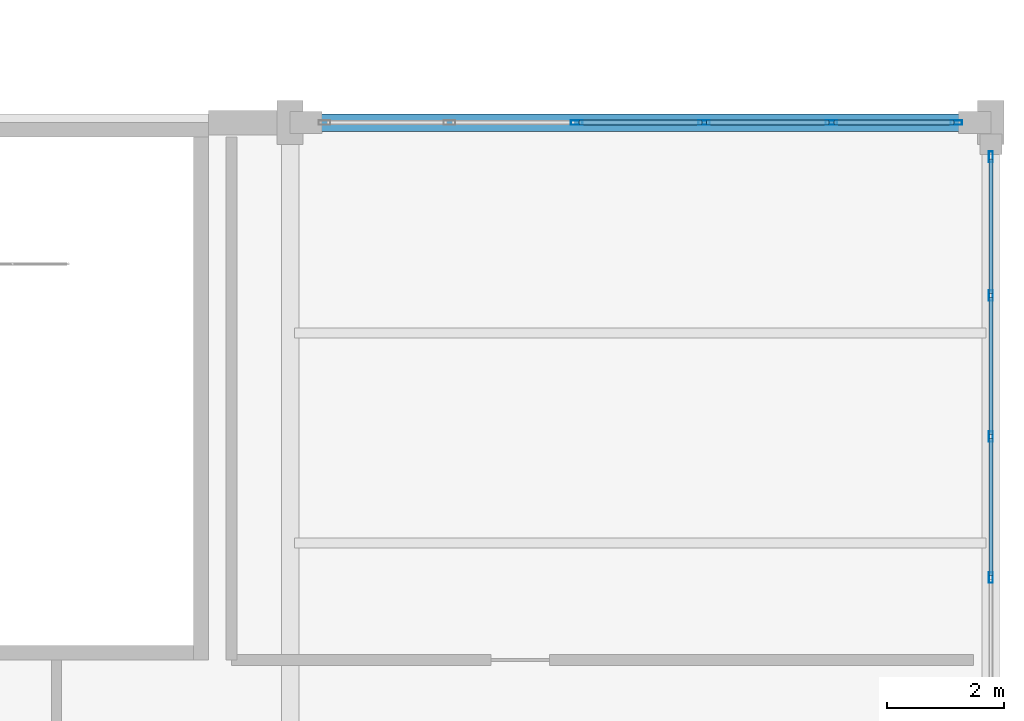
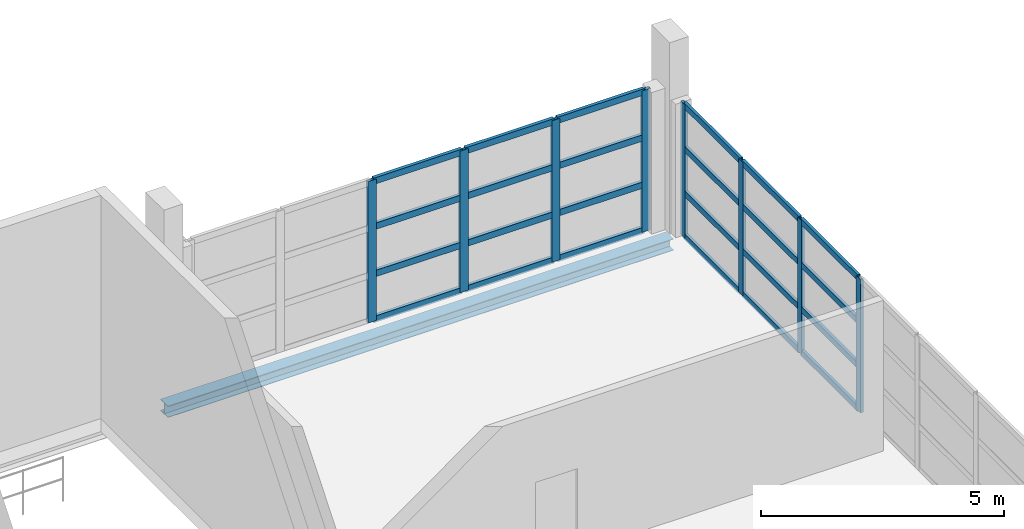
# One storey, part 69 of 86: 32 members, 1 beam, 2 elements without a shape of their own.
"""IFC4 building model written with IfcOpenShell, lengths in metres."""

from ifc_helpers import new_model, si_unit, direction, frame, origin, origin_2d, place, context, subcontext, project, spatial, hollow_rectangle, i_section, extrude, material, layer, layer_set, material_profile, profile_set, type_object, element, aggregate, save


model = new_model("IFC4")

# Units and contexts
model_context = context("Model", 3, precision=1e-05, world=origin(), true_north=direction((0.0, 1.0)))
body_context = subcontext(model_context, "Body", "Model", "MODEL_VIEW")
ifc_project = project(units=[si_unit("LENGTHUNIT", "METRE"), si_unit("AREAUNIT", "SQUARE_METRE"), si_unit("VOLUMEUNIT", "CUBIC_METRE"), si_unit("PLANEANGLEUNIT", "RADIAN"), si_unit("MASSUNIT", "GRAM", prefix="KILO")], contexts=[model_context])

# Site, building, storey
site_placement = place(None, origin())
site = spatial("IfcSite", under=ifc_project, at=site_placement, CompositionType="ELEMENT")
building_placement = place(site_placement, origin())
building = spatial("IfcBuilding", under=site, at=building_placement, Name="Zilviju Railside Exhibition Hall", CompositionType="ELEMENT")
storey_placement = place(building_placement, frame((0.0, 0.0, 12.60009765625)))
storey = spatial("IfcBuildingStorey", under=building, at=storey_placement, Name="L04", CompositionType="ELEMENT", Elevation=12.60009765625)

# Beam
ifc_material_1 = material(Name="Steel S355J2", Category="steel")
ifc_material_profile_1 = material_profile(ifc_material_1, i_section(OverallWidth=0.300048828125, OverallDepth=0.2900390625, WebThickness=0.008544921875, FlangeThickness=0.013916015625, at=origin_2d()), Name="HEA 300")
ifc_profile_set_1 = profile_set([ifc_material_profile_1], Name="Steel S355J2")
beam_type = type_object("IfcBeamType", Name="BM-HEA300", PredefinedType="SPANDREL", material=ifc_profile_set_1)
beam_placement = place(storey_placement, frame((204.0, 138.0, -0.47509765625), z_axis=(1.0, 0.0, 0.0), x_axis=(0.0, 1.0, 0.0)))
element("IfcBeam", 1, at=beam_placement, inside=storey, type_object=beam_type, Name="Primary Girder L04 Y=138.0 (204.0..216.0)", PredefinedType="SPANDREL", context=body_context, shape_type="SweptSolid", body=[
    extrude(i_section(OverallWidth=0.300048828125, OverallDepth=0.2900390625, WebThickness=0.008544921875, FlangeThickness=0.013916015625, at=origin_2d()), origin(), (0.0, 0.0, 1.0), 12.0),
])

# Curtain wall, members
ifc_material_2 = material(Name="Thermally broken aluminium-steel triple-glazed curtain wall", Category="steel")
ifc_layer_1 = layer(ifc_material_2, 0.179931640625)
ifc_layer_set_1 = layer_set([ifc_layer_1], Name="Thermally broken aluminium-steel triple-glazed curtain wall")
curtain_wall_type_1 = type_object("IfcCurtainWallType", Name="CW-BAY-15", PredefinedType="USERDEFINED", material=ifc_layer_set_1)
curtain_wall_1_placement = place(storey_placement, origin())
curtain_wall_1 = element("IfcCurtainWall", 2, at=curtain_wall_1_placement, inside=storey, type_object=curtain_wall_type_1, Name="North Hall East Glazed Gable L04 (120..138)", ObjectType="GLAZED CURTAIN WALL", PredefinedType="USERDEFINED")
ifc_material_3 = material(Name="Thermally broken anodized aluminium mullion", Category="aluminium")
ifc_material_profile_2 = material_profile(ifc_material_3, hollow_rectangle(XDim=0.070068359375, YDim=0.179931640625, WallThickness=0.0048828125, at=origin_2d()), Name="MULLION 180x70x5")
ifc_profile_set_2 = profile_set([ifc_material_profile_2], Name="Thermally broken anodized aluminium mullion")
member_type_1 = type_object("IfcMemberType", Name="CWM-70x180", PredefinedType="MULLION", material=ifc_profile_set_2)
member_1_placement = place(storey_placement, frame((216.0, 137.4150390625, 0.0), z_axis=(0.0, 0.0, 1.0), x_axis=(1.0, 0.0, 0.0)))
member_1 = element("IfcMember", 3, at=member_1_placement, type_object=member_type_1, Name="CW-15 mullion 1", PredefinedType="MULLION", context=body_context, shape_type="SweptSolid", body=[
    extrude(hollow_rectangle(XDim=0.070068359375, YDim=0.179931640625, WallThickness=0.0048828125, at=origin_2d()), origin(), (0.0, 0.0, 1.0), 3.349853515625),
])
member_2_placement = place(storey_placement, frame((216.0, 135.03564453125, 0.0), z_axis=(0.0, 0.0, 1.0), x_axis=(1.0, 0.0, 0.0)))
member_2 = element("IfcMember", 4, at=member_2_placement, type_object=member_type_1, Name="CW-15 mullion 2", PredefinedType="MULLION", context=body_context, shape_type="SweptSolid", body=[
    extrude(hollow_rectangle(XDim=0.070068359375, YDim=0.179931640625, WallThickness=0.0048828125, at=origin_2d()), origin(), (0.0, 0.0, 1.0), 3.349853515625),
])
member_3_placement = place(storey_placement, frame((216.0, 132.621337890625, 0.0), z_axis=(0.0, 0.0, 1.0), x_axis=(1.0, 0.0, 0.0)))
member_3 = element("IfcMember", 5, at=member_3_placement, type_object=member_type_1, Name="CW-15 mullion 3", PredefinedType="MULLION", context=body_context, shape_type="SweptSolid", body=[
    extrude(hollow_rectangle(XDim=0.070068359375, YDim=0.179931640625, WallThickness=0.0048828125, at=origin_2d()), origin(), (0.0, 0.0, 1.0), 3.349853515625),
])
member_4_placement = place(storey_placement, frame((216.0, 130.20703125, 0.0), z_axis=(0.0, 0.0, 1.0), x_axis=(1.0, 0.0, 0.0)))
member_4 = element("IfcMember", 6, at=member_4_placement, type_object=member_type_1, Name="CW-15 mullion 4", PredefinedType="MULLION", context=body_context, shape_type="SweptSolid", body=[
    extrude(hollow_rectangle(XDim=0.070068359375, YDim=0.179931640625, WallThickness=0.0048828125, at=origin_2d()), origin(), (0.0, 0.0, 1.0), 3.349853515625),
])

ifc_layer_2 = layer(ifc_material_2, 0.179931640625)
ifc_layer_set_2 = layer_set([ifc_layer_2], Name="Thermally broken aluminium-steel triple-glazed curtain wall")
curtain_wall_type_2 = type_object("IfcCurtainWallType", Name="CW-BAY-12", PredefinedType="USERDEFINED", material=ifc_layer_set_2)
curtain_wall_2_placement = place(storey_placement, origin())
curtain_wall_2 = element("IfcCurtainWall", 7, at=curtain_wall_2_placement, inside=storey, type_object=curtain_wall_type_2, Name="North Hall Clerestory Curtain Wall L04 (204..216)", ObjectType="GLAZED CURTAIN WALL", PredefinedType="USERDEFINED")
ifc_material_profile_3 = material_profile(ifc_material_3, hollow_rectangle(XDim=0.080078125, YDim=0.199951171875, WallThickness=0.0048828125, at=origin_2d()), Name="MULLION 200x80x5")
ifc_profile_set_3 = profile_set([ifc_material_profile_3], Name="Thermally broken anodized aluminium mullion")
member_type_2 = type_object("IfcMemberType", Name="CWM-80x200", PredefinedType="MULLION", material=ifc_profile_set_3)
member_5_placement = place(storey_placement, frame((208.909912109375, 138.0, 0.0), z_axis=(0.0, 0.0, 1.0), x_axis=(0.0, 1.0, 0.0)))
member_5 = element("IfcMember", 8, at=member_5_placement, type_object=member_type_2, Name="CW-12 mullion 3", PredefinedType="MULLION", context=body_context, shape_type="SweptSolid", body=[
    extrude(hollow_rectangle(XDim=0.080078125, YDim=0.199951171875, WallThickness=0.0048828125, at=origin_2d()), origin(), (0.0, 0.0, 1.0), 3.5498046875),
])
member_6_placement = place(storey_placement, frame((211.090087890625, 138.0, 0.0), z_axis=(0.0, 0.0, 1.0), x_axis=(0.0, 1.0, 0.0)))
member_6 = element("IfcMember", 9, at=member_6_placement, type_object=member_type_2, Name="CW-12 mullion 4", PredefinedType="MULLION", context=body_context, shape_type="SweptSolid", body=[
    extrude(hollow_rectangle(XDim=0.080078125, YDim=0.199951171875, WallThickness=0.0048828125, at=origin_2d()), origin(), (0.0, 0.0, 1.0), 3.5498046875),
])
member_7_placement = place(storey_placement, frame((213.27001953125, 138.0, 0.0), z_axis=(0.0, 0.0, 1.0), x_axis=(0.0, 1.0, 0.0)))
member_7 = element("IfcMember", 10, at=member_7_placement, type_object=member_type_2, Name="CW-12 mullion 5", PredefinedType="MULLION", context=body_context, shape_type="SweptSolid", body=[
    extrude(hollow_rectangle(XDim=0.080078125, YDim=0.199951171875, WallThickness=0.0048828125, at=origin_2d()), origin(), (0.0, 0.0, 1.0), 3.5498046875),
])
member_8_placement = place(storey_placement, frame((215.409912109375, 138.0, 0.0), z_axis=(0.0, 0.0, 1.0), x_axis=(0.0, 1.0, 0.0)))
member_8 = element("IfcMember", 11, at=member_8_placement, type_object=member_type_2, Name="CW-12 mullion 6", PredefinedType="MULLION", context=body_context, shape_type="SweptSolid", body=[
    extrude(hollow_rectangle(XDim=0.080078125, YDim=0.199951171875, WallThickness=0.0048828125, at=origin_2d()), origin(), (0.0, 0.0, 1.0), 3.5498046875),
])

# Member
ifc_material_4 = material(Name="Thermally broken anodized aluminium transom", Category="aluminium")
ifc_material_profile_4 = material_profile(ifc_material_4, hollow_rectangle(XDim=0.070068359375, YDim=0.14990234375, WallThickness=0.0048828125, at=origin_2d()), Name="TRANSOM 150x70x5")
ifc_profile_set_4 = profile_set([ifc_material_profile_4], Name="Thermally broken anodized aluminium transom")
member_type_3 = type_object("IfcMemberType", Name="CWT-70x150", PredefinedType="USERDEFINED", material=ifc_profile_set_4)
member_9_placement = place(storey_placement, frame((216.0, 137.3798828125, 0.034912109375), z_axis=(0.0, -1.0, 0.0), x_axis=(1.0, 0.0, 0.0)))
member_9 = element("IfcMember", 12, at=member_9_placement, type_object=member_type_3, Name="CW-15 transom 1.1", ObjectType="TRANSOM", PredefinedType="USERDEFINED", context=body_context, shape_type="SweptSolid", body=[
    extrude(hollow_rectangle(XDim=0.070068359375, YDim=0.14990234375, WallThickness=0.0048828125, at=origin_2d()), origin(), (0.0, 0.0, 1.0), 2.30908203125),
])

member_10_placement = place(storey_placement, frame((216.0, 137.3798828125, 1.116943359375), z_axis=(0.0, -1.0, 0.0), x_axis=(1.0, 0.0, 0.0)))
member_10 = element("IfcMember", 13, at=member_10_placement, type_object=member_type_3, Name="CW-15 transom 1.2", ObjectType="TRANSOM", PredefinedType="USERDEFINED", context=body_context, shape_type="SweptSolid", body=[
    extrude(hollow_rectangle(XDim=0.070068359375, YDim=0.14990234375, WallThickness=0.0048828125, at=origin_2d()), origin(), (0.0, 0.0, 1.0), 2.30908203125),
])

member_11_placement = place(storey_placement, frame((216.0, 137.3798828125, 2.23291015625), z_axis=(0.0, -1.0, 0.0), x_axis=(1.0, 0.0, 0.0)))
member_11 = element("IfcMember", 14, at=member_11_placement, type_object=member_type_3, Name="CW-15 transom 1.3", ObjectType="TRANSOM", PredefinedType="USERDEFINED", context=body_context, shape_type="SweptSolid", body=[
    extrude(hollow_rectangle(XDim=0.070068359375, YDim=0.14990234375, WallThickness=0.0048828125, at=origin_2d()), origin(), (0.0, 0.0, 1.0), 2.30908203125),
])

member_12_placement = place(storey_placement, frame((216.0, 137.3798828125, 3.31494140625), z_axis=(0.0, -1.0, 0.0), x_axis=(1.0, 0.0, 0.0)))
member_12 = element("IfcMember", 15, at=member_12_placement, type_object=member_type_3, Name="CW-15 transom 1.4", ObjectType="TRANSOM", PredefinedType="USERDEFINED", context=body_context, shape_type="SweptSolid", body=[
    extrude(hollow_rectangle(XDim=0.070068359375, YDim=0.14990234375, WallThickness=0.0048828125, at=origin_2d()), origin(), (0.0, 0.0, 1.0), 2.30908203125),
])

member_13_placement = place(storey_placement, frame((216.0, 135.000732421875, 0.034912109375), z_axis=(0.0, -1.0, 0.0), x_axis=(1.0, 0.0, 0.0)))
member_13 = element("IfcMember", 16, at=member_13_placement, type_object=member_type_3, Name="CW-15 transom 2.1", ObjectType="TRANSOM", PredefinedType="USERDEFINED", context=body_context, shape_type="SweptSolid", body=[
    extrude(hollow_rectangle(XDim=0.070068359375, YDim=0.14990234375, WallThickness=0.0048828125, at=origin_2d()), origin(), (0.0, 0.0, 1.0), 2.34423828125),
])

member_14_placement = place(storey_placement, frame((216.0, 135.000732421875, 1.116943359375), z_axis=(0.0, -1.0, 0.0), x_axis=(1.0, 0.0, 0.0)))
member_14 = element("IfcMember", 17, at=member_14_placement, type_object=member_type_3, Name="CW-15 transom 2.2", ObjectType="TRANSOM", PredefinedType="USERDEFINED", context=body_context, shape_type="SweptSolid", body=[
    extrude(hollow_rectangle(XDim=0.070068359375, YDim=0.14990234375, WallThickness=0.0048828125, at=origin_2d()), origin(), (0.0, 0.0, 1.0), 2.34423828125),
])

member_15_placement = place(storey_placement, frame((216.0, 135.000732421875, 2.23291015625), z_axis=(0.0, -1.0, 0.0), x_axis=(1.0, 0.0, 0.0)))
member_15 = element("IfcMember", 18, at=member_15_placement, type_object=member_type_3, Name="CW-15 transom 2.3", ObjectType="TRANSOM", PredefinedType="USERDEFINED", context=body_context, shape_type="SweptSolid", body=[
    extrude(hollow_rectangle(XDim=0.070068359375, YDim=0.14990234375, WallThickness=0.0048828125, at=origin_2d()), origin(), (0.0, 0.0, 1.0), 2.34423828125),
])

member_16_placement = place(storey_placement, frame((216.0, 135.000732421875, 3.31494140625), z_axis=(0.0, -1.0, 0.0), x_axis=(1.0, 0.0, 0.0)))
member_16 = element("IfcMember", 19, at=member_16_placement, type_object=member_type_3, Name="CW-15 transom 2.4", ObjectType="TRANSOM", PredefinedType="USERDEFINED", context=body_context, shape_type="SweptSolid", body=[
    extrude(hollow_rectangle(XDim=0.070068359375, YDim=0.14990234375, WallThickness=0.0048828125, at=origin_2d()), origin(), (0.0, 0.0, 1.0), 2.34423828125),
])

member_17_placement = place(storey_placement, frame((216.0, 132.58642578125, 0.034912109375), z_axis=(0.0, -1.0, 0.0), x_axis=(1.0, 0.0, 0.0)))
member_17 = element("IfcMember", 20, at=member_17_placement, type_object=member_type_3, Name="CW-15 transom 3.1", ObjectType="TRANSOM", PredefinedType="USERDEFINED", context=body_context, shape_type="SweptSolid", body=[
    extrude(hollow_rectangle(XDim=0.070068359375, YDim=0.14990234375, WallThickness=0.0048828125, at=origin_2d()), origin(), (0.0, 0.0, 1.0), 2.34423828125),
])

member_18_placement = place(storey_placement, frame((216.0, 132.58642578125, 1.116943359375), z_axis=(0.0, -1.0, 0.0), x_axis=(1.0, 0.0, 0.0)))
member_18 = element("IfcMember", 21, at=member_18_placement, type_object=member_type_3, Name="CW-15 transom 3.2", ObjectType="TRANSOM", PredefinedType="USERDEFINED", context=body_context, shape_type="SweptSolid", body=[
    extrude(hollow_rectangle(XDim=0.070068359375, YDim=0.14990234375, WallThickness=0.0048828125, at=origin_2d()), origin(), (0.0, 0.0, 1.0), 2.34423828125),
])

member_19_placement = place(storey_placement, frame((216.0, 132.58642578125, 2.23291015625), z_axis=(0.0, -1.0, 0.0), x_axis=(1.0, 0.0, 0.0)))
member_19 = element("IfcMember", 22, at=member_19_placement, type_object=member_type_3, Name="CW-15 transom 3.3", ObjectType="TRANSOM", PredefinedType="USERDEFINED", context=body_context, shape_type="SweptSolid", body=[
    extrude(hollow_rectangle(XDim=0.070068359375, YDim=0.14990234375, WallThickness=0.0048828125, at=origin_2d()), origin(), (0.0, 0.0, 1.0), 2.34423828125),
])

member_20_placement = place(storey_placement, frame((216.0, 132.58642578125, 3.31494140625), z_axis=(0.0, -1.0, 0.0), x_axis=(1.0, 0.0, 0.0)))
member_20 = element("IfcMember", 23, at=member_20_placement, type_object=member_type_3, Name="CW-15 transom 3.4", ObjectType="TRANSOM", PredefinedType="USERDEFINED", context=body_context, shape_type="SweptSolid", body=[
    extrude(hollow_rectangle(XDim=0.070068359375, YDim=0.14990234375, WallThickness=0.0048828125, at=origin_2d()), origin(), (0.0, 0.0, 1.0), 2.34423828125),
])

aggregate(curtain_wall_1, [member_1, member_2, member_3, member_4, member_9, member_10, member_11, member_12, member_13, member_14, member_15, member_16, member_17, member_18, member_19, member_20])

ifc_material_profile_5 = material_profile(ifc_material_4, hollow_rectangle(XDim=0.080078125, YDim=0.159912109375, WallThickness=0.0048828125, at=origin_2d()), Name="TRANSOM 160x80x5")
ifc_profile_set_5 = profile_set([ifc_material_profile_5], Name="Thermally broken anodized aluminium transom")
member_type_4 = type_object("IfcMemberType", Name="CWT-80x160", PredefinedType="USERDEFINED", material=ifc_profile_set_5)
member_21_placement = place(storey_placement, frame((208.949951171875, 138.0, 0.039794921875), z_axis=(1.0, 0.0, 0.0), x_axis=(0.0, 1.0, 0.0)))
member_21 = element("IfcMember", 24, at=member_21_placement, type_object=member_type_4, Name="CW-12 transom 3.1", ObjectType="TRANSOM", PredefinedType="USERDEFINED", context=body_context, shape_type="SweptSolid", body=[
    extrude(hollow_rectangle(XDim=0.080078125, YDim=0.159912109375, WallThickness=0.0048828125, at=origin_2d()), origin(), (0.0, 0.0, 1.0), 2.10009765625),
])

member_22_placement = place(storey_placement, frame((208.949951171875, 138.0, 1.182861328125), z_axis=(1.0, 0.0, 0.0), x_axis=(0.0, 1.0, 0.0)))
member_22 = element("IfcMember", 25, at=member_22_placement, type_object=member_type_4, Name="CW-12 transom 3.2", ObjectType="TRANSOM", PredefinedType="USERDEFINED", context=body_context, shape_type="SweptSolid", body=[
    extrude(hollow_rectangle(XDim=0.080078125, YDim=0.159912109375, WallThickness=0.0048828125, at=origin_2d()), origin(), (0.0, 0.0, 1.0), 2.10009765625),
])

member_23_placement = place(storey_placement, frame((208.949951171875, 138.0, 2.366943359375), z_axis=(1.0, 0.0, 0.0), x_axis=(0.0, 1.0, 0.0)))
member_23 = element("IfcMember", 26, at=member_23_placement, type_object=member_type_4, Name="CW-12 transom 3.3", ObjectType="TRANSOM", PredefinedType="USERDEFINED", context=body_context, shape_type="SweptSolid", body=[
    extrude(hollow_rectangle(XDim=0.080078125, YDim=0.159912109375, WallThickness=0.0048828125, at=origin_2d()), origin(), (0.0, 0.0, 1.0), 2.10009765625),
])

member_24_placement = place(storey_placement, frame((208.949951171875, 138.0, 3.510009765625), z_axis=(1.0, 0.0, 0.0), x_axis=(0.0, 1.0, 0.0)))
member_24 = element("IfcMember", 27, at=member_24_placement, type_object=member_type_4, Name="CW-12 transom 3.4", ObjectType="TRANSOM", PredefinedType="USERDEFINED", context=body_context, shape_type="SweptSolid", body=[
    extrude(hollow_rectangle(XDim=0.080078125, YDim=0.159912109375, WallThickness=0.0048828125, at=origin_2d()), origin(), (0.0, 0.0, 1.0), 2.10009765625),
])

member_25_placement = place(storey_placement, frame((211.1298828125, 138.0, 0.039794921875), z_axis=(1.0, 0.0, 0.0), x_axis=(0.0, 1.0, 0.0)))
member_25 = element("IfcMember", 28, at=member_25_placement, type_object=member_type_4, Name="CW-12 transom 4.1", ObjectType="TRANSOM", PredefinedType="USERDEFINED", context=body_context, shape_type="SweptSolid", body=[
    extrude(hollow_rectangle(XDim=0.080078125, YDim=0.159912109375, WallThickness=0.0048828125, at=origin_2d()), origin(), (0.0, 0.0, 1.0), 2.10009765625),
])

member_26_placement = place(storey_placement, frame((211.1298828125, 138.0, 1.182861328125), z_axis=(1.0, 0.0, 0.0), x_axis=(0.0, 1.0, 0.0)))
member_26 = element("IfcMember", 29, at=member_26_placement, type_object=member_type_4, Name="CW-12 transom 4.2", ObjectType="TRANSOM", PredefinedType="USERDEFINED", context=body_context, shape_type="SweptSolid", body=[
    extrude(hollow_rectangle(XDim=0.080078125, YDim=0.159912109375, WallThickness=0.0048828125, at=origin_2d()), origin(), (0.0, 0.0, 1.0), 2.10009765625),
])

member_27_placement = place(storey_placement, frame((211.1298828125, 138.0, 2.366943359375), z_axis=(1.0, 0.0, 0.0), x_axis=(0.0, 1.0, 0.0)))
member_27 = element("IfcMember", 30, at=member_27_placement, type_object=member_type_4, Name="CW-12 transom 4.3", ObjectType="TRANSOM", PredefinedType="USERDEFINED", context=body_context, shape_type="SweptSolid", body=[
    extrude(hollow_rectangle(XDim=0.080078125, YDim=0.159912109375, WallThickness=0.0048828125, at=origin_2d()), origin(), (0.0, 0.0, 1.0), 2.10009765625),
])

member_28_placement = place(storey_placement, frame((211.1298828125, 138.0, 3.510009765625), z_axis=(1.0, 0.0, 0.0), x_axis=(0.0, 1.0, 0.0)))
member_28 = element("IfcMember", 31, at=member_28_placement, type_object=member_type_4, Name="CW-12 transom 4.4", ObjectType="TRANSOM", PredefinedType="USERDEFINED", context=body_context, shape_type="SweptSolid", body=[
    extrude(hollow_rectangle(XDim=0.080078125, YDim=0.159912109375, WallThickness=0.0048828125, at=origin_2d()), origin(), (0.0, 0.0, 1.0), 2.10009765625),
])

member_29_placement = place(storey_placement, frame((213.31005859375, 138.0, 0.039794921875), z_axis=(1.0, 0.0, 0.0), x_axis=(0.0, 1.0, 0.0)))
member_29 = element("IfcMember", 32, at=member_29_placement, type_object=member_type_4, Name="CW-12 transom 5.1", ObjectType="TRANSOM", PredefinedType="USERDEFINED", context=body_context, shape_type="SweptSolid", body=[
    extrude(hollow_rectangle(XDim=0.080078125, YDim=0.159912109375, WallThickness=0.0048828125, at=origin_2d()), origin(), (0.0, 0.0, 1.0), 2.06005859375),
])

member_30_placement = place(storey_placement, frame((213.31005859375, 138.0, 1.182861328125), z_axis=(1.0, 0.0, 0.0), x_axis=(0.0, 1.0, 0.0)))
member_30 = element("IfcMember", 33, at=member_30_placement, type_object=member_type_4, Name="CW-12 transom 5.2", ObjectType="TRANSOM", PredefinedType="USERDEFINED", context=body_context, shape_type="SweptSolid", body=[
    extrude(hollow_rectangle(XDim=0.080078125, YDim=0.159912109375, WallThickness=0.0048828125, at=origin_2d()), origin(), (0.0, 0.0, 1.0), 2.06005859375),
])

member_31_placement = place(storey_placement, frame((213.31005859375, 138.0, 2.366943359375), z_axis=(1.0, 0.0, 0.0), x_axis=(0.0, 1.0, 0.0)))
member_31 = element("IfcMember", 34, at=member_31_placement, type_object=member_type_4, Name="CW-12 transom 5.3", ObjectType="TRANSOM", PredefinedType="USERDEFINED", context=body_context, shape_type="SweptSolid", body=[
    extrude(hollow_rectangle(XDim=0.080078125, YDim=0.159912109375, WallThickness=0.0048828125, at=origin_2d()), origin(), (0.0, 0.0, 1.0), 2.06005859375),
])

member_32_placement = place(storey_placement, frame((213.31005859375, 138.0, 3.510009765625), z_axis=(1.0, 0.0, 0.0), x_axis=(0.0, 1.0, 0.0)))
member_32 = element("IfcMember", 35, at=member_32_placement, type_object=member_type_4, Name="CW-12 transom 5.4", ObjectType="TRANSOM", PredefinedType="USERDEFINED", context=body_context, shape_type="SweptSolid", body=[
    extrude(hollow_rectangle(XDim=0.080078125, YDim=0.159912109375, WallThickness=0.0048828125, at=origin_2d()), origin(), (0.0, 0.0, 1.0), 2.06005859375),
])

aggregate(curtain_wall_2, [member_5, member_6, member_7, member_8, member_21, member_22, member_23, member_24, member_25, member_26, member_27, member_28, member_29, member_30, member_31, member_32])

save(model, "model.ifc")
